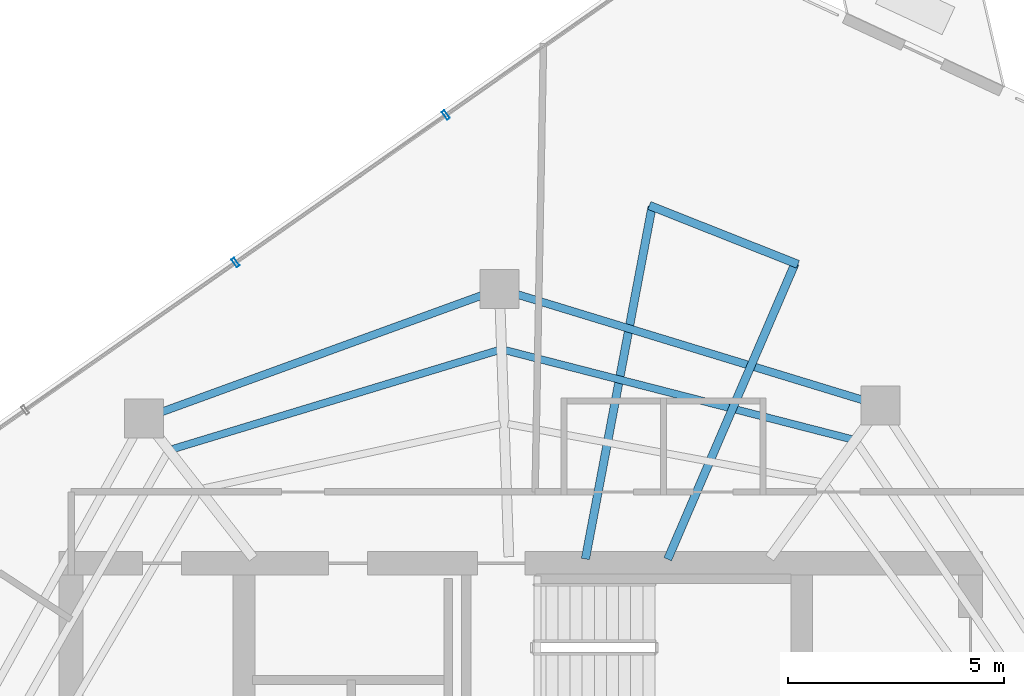
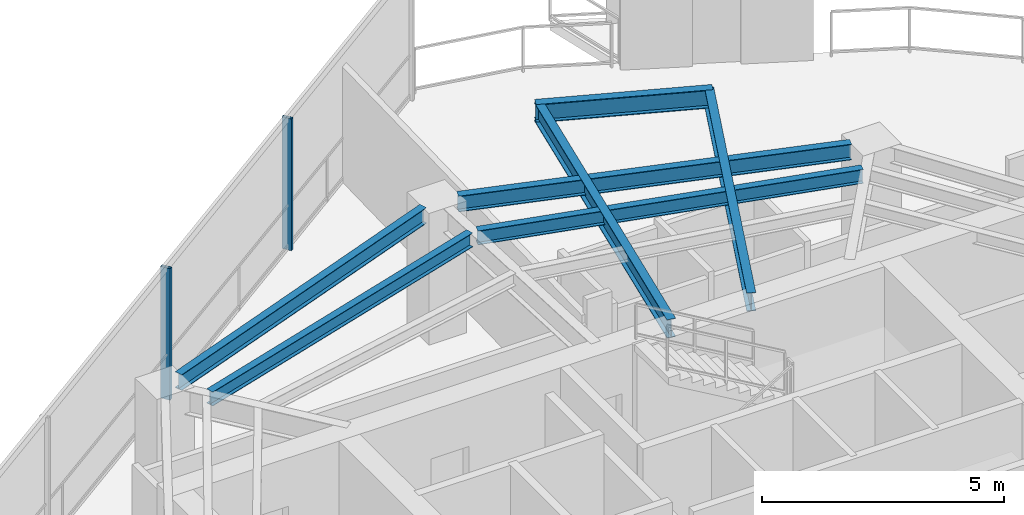
# One storey, part 14 of 20: 7 beams, 2 members, 1 element without a shape of its own.
"""IFC4 building model written with IfcOpenShell, lengths in metres."""

from ifc_helpers import new_model, si_unit, direction, frame, origin, origin_2d, place, context, subcontext, project, spatial, hollow_rectangle, i_section, extrude, material, layer, layer_set, material_profile, profile_set, type_object, element, aggregate, save


model = new_model("IFC4")

# Units and contexts
model_context = context("Model", 3, precision=1e-05, world=origin(), true_north=direction((0.0, 1.0)))
body_context = subcontext(model_context, "Body", "Model", "MODEL_VIEW")
ifc_project = project(units=[si_unit("LENGTHUNIT", "METRE"), si_unit("AREAUNIT", "SQUARE_METRE"), si_unit("VOLUMEUNIT", "CUBIC_METRE"), si_unit("PLANEANGLEUNIT", "RADIAN"), si_unit("MASSUNIT", "GRAM", prefix="KILO")], contexts=[model_context])

# Site, building, storey
site_placement = place(None, origin())
site = spatial("IfcSite", under=ifc_project, at=site_placement, CompositionType="ELEMENT")
building_placement = place(site_placement, origin())
building = spatial("IfcBuilding", under=site, at=building_placement, Name="Qarnah Convention Tower", CompositionType="ELEMENT")
storey_placement = place(building_placement, frame((0.0, 0.0, 198.60009765625)))
storey = spatial("IfcBuildingStorey", under=building, at=storey_placement, Name="L53", CompositionType="ELEMENT", Elevation=198.60009765625)

# Beams
ifc_material_1 = material(Name="Structural steel S355JR", Category="steel")
ifc_material_profile_1 = material_profile(ifc_material_1, i_section(OverallWidth=0.19189453125, OverallDepth=0.464111328125, WebThickness=0.010986328125, FlangeThickness=0.01806640625, at=origin_2d()), Name="W460X89")
ifc_profile_set_1 = profile_set([ifc_material_profile_1], Name="Structural steel S355JR")
beam_type_1 = type_object("IfcBeamType", Name="BM-CANT-W460A", PredefinedType="BEAM", material=ifc_profile_set_1)
beam_1_placement = place(storey_placement, frame((40.596923828125, 34.2919921875, 3.087890625), z_axis=(0.395334358974, 0.91853728537, 0.0), x_axis=(-0.91853728537, 0.395334358974, 0.0)))
element("IfcBeam", 1, at=beam_1_placement, inside=storey, type_object=beam_type_1, Name="L53 beam BM-L53-CNT-01-1", PredefinedType="BEAM", context=body_context, shape_type="SweptSolid", body=[
    extrude(i_section(OverallWidth=0.19189453125, OverallDepth=0.464111328125, WebThickness=0.010986328125, FlangeThickness=0.01806640625, at=origin_2d()), origin(), (0.0, 0.0, 1.0), 7.4521484375),
])
beam_2_placement = place(storey_placement, frame((38.694091796875, 34.298095703125, 3.087890625), z_axis=(0.185927001241, 0.982563560392, 0.0), x_axis=(-0.982563560392, 0.185927001241, 0.0)))
element("IfcBeam", 2, at=beam_2_placement, inside=storey, type_object=beam_type_1, Name="L53 beam BM-L53-CNT-01-2", PredefinedType="BEAM", context=body_context, shape_type="SweptSolid", body=[
    extrude(i_section(OverallWidth=0.19189453125, OverallDepth=0.464111328125, WebThickness=0.010986328125, FlangeThickness=0.01806640625, at=origin_2d()), origin(), (0.0, 0.0, 1.0), 8.29345703125),
])
beam_3_placement = place(storey_placement, frame((43.60791015625, 41.111083984375, 3.087890625), z_axis=(-0.929683207284, 0.368360060394, 0.0), x_axis=(-0.368360060394, -0.929683207284, 0.0)))
element("IfcBeam", 3, at=beam_3_placement, inside=storey, type_object=beam_type_1, Name="L53 spandrel BM-L53-CTIE-01", PredefinedType="SPANDREL", context=body_context, shape_type="SweptSolid", body=[
    extrude(i_section(OverallWidth=0.19189453125, OverallDepth=0.464111328125, WebThickness=0.010986328125, FlangeThickness=0.01806640625, at=origin_2d()), origin(), (0.0, 0.0, 1.0), 3.697021484375),
])
ifc_material_profile_2 = material_profile(ifc_material_1, i_section(OverallWidth=0.172119140625, OverallDepth=0.35595703125, WebThickness=0.007080078125, FlangeThickness=0.011962890625, at=origin_2d()), Name="W360X51")
ifc_profile_set_2 = profile_set([ifc_material_profile_2], Name="Structural steel S355JR")
beam_type_2 = type_object("IfcBeamType", Name="BM-JST-W360", PredefinedType="JOIST", material=ifc_profile_set_2)
beam_4_placement = place(storey_placement, frame((44.846923828125, 37.06689453125, 3.141845703125), z_axis=(-0.968529970229, 0.248896960142, 0.0), x_axis=(-0.248896960142, -0.968529970229, 0.0)))
element("IfcBeam", 4, at=beam_4_placement, inside=storey, type_object=beam_type_2, Name="L53 joist BM-L53-SJST-02", PredefinedType="JOIST", context=body_context, shape_type="SweptSolid", body=[
    extrude(i_section(OverallWidth=0.172119140625, OverallDepth=0.35595703125, WebThickness=0.007080078125, FlangeThickness=0.011962890625, at=origin_2d()), origin(), (0.0, 0.0, 1.0), 8.264892578125),
])
beam_5_placement = place(storey_placement, frame((36.6689453125, 39.1201171875, 3.141845703125), z_axis=(-0.956935771125, -0.290299724321, 0.0), x_axis=(0.290299724321, -0.956935771125, 0.0)))
element("IfcBeam", 5, at=beam_5_placement, inside=storey, type_object=beam_type_2, Name="L53 joist BM-L53-SJST-03", PredefinedType="JOIST", context=body_context, shape_type="SweptSolid", body=[
    extrude(i_section(OverallWidth=0.172119140625, OverallDepth=0.35595703125, WebThickness=0.007080078125, FlangeThickness=0.011962890625, at=origin_2d()), origin(), (0.0, 0.0, 1.0), 7.857421875),
])
ifc_material_profile_3 = material_profile(ifc_material_1, i_section(OverallWidth=0.179931640625, OverallDepth=0.39990234375, WebThickness=0.009033203125, FlangeThickness=0.013916015625, at=origin_2d()), Name="IPE400")
ifc_profile_set_3 = profile_set([ifc_material_profile_3], Name="Structural steel S355JR")
beam_type_3 = type_object("IfcBeamType", Name="BM-SPN-IPE400", PredefinedType="SPANDREL", material=ifc_profile_set_3)
beam_6_placement = place(storey_placement, frame((45.095947265625, 37.97705078125, 3.119873046875), z_axis=(-0.956348614223, 0.292228212318, 0.0), x_axis=(-0.292228212318, -0.956348614223, 0.0)))
element("IfcBeam", 6, at=beam_6_placement, inside=storey, type_object=beam_type_3, Name="L53 spandrel BM-L53-SPN-02", PredefinedType="SPANDREL", context=body_context, shape_type="SweptSolid", body=[
    extrude(i_section(OverallWidth=0.179931640625, OverallDepth=0.39990234375, WebThickness=0.009033203125, FlangeThickness=0.013916015625, at=origin_2d()), origin(), (0.0, 0.0, 1.0), 8.332763671875),
])
beam_7_placement = place(storey_placement, frame((36.29296875, 40.39111328125, 3.119873046875), z_axis=(-0.939665594936, -0.342094387112, 0.0), x_axis=(0.342094387112, -0.939665594936, 0.0)))
element("IfcBeam", 7, at=beam_7_placement, inside=storey, type_object=beam_type_3, Name="L53 spandrel BM-L53-SPN-03", PredefinedType="SPANDREL", context=body_context, shape_type="SweptSolid", body=[
    extrude(i_section(OverallWidth=0.179931640625, OverallDepth=0.39990234375, WebThickness=0.009033203125, FlangeThickness=0.013916015625, at=origin_2d()), origin(), (0.0, 0.0, 1.0), 7.86669921875),
])

# Curtain wall, members
ifc_material_2 = material(Name="Tempered Low-E dark glass", Category="glass")
ifc_layer = layer(ifc_material_2, 0.174072265625)
ifc_layer_set = layer_set([ifc_layer], Name="Tempered Low-E dark glass")
curtain_wall_type = type_object("IfcCurtainWallType", Name="CWS-04", PredefinedType="NOTDEFINED", material=ifc_layer_set)
curtain_wall_placement = place(storey_placement, origin())
curtain_wall = element("IfcCurtainWall", 8, at=curtain_wall_placement, inside=storey, type_object=curtain_wall_type, Name="L53 unitised curtain wall CW-L53-F1", PredefinedType="NOTDEFINED")
ifc_material_3 = material(Name="Black anodised aluminium", Category="aluminium")
ifc_material_profile_4 = material_profile(ifc_material_3, hollow_rectangle(XDim=0.074951171875, YDim=0.219970703125, WallThickness=0.0048828125, at=origin_2d()), Name="MUL-75X220")
ifc_profile_set_4 = profile_set([ifc_material_profile_4], Name="Black anodised aluminium")
member_type = type_object("IfcMemberType", Name="MUL-T4", PredefinedType="MULLION", material=ifc_profile_set_4)
member_1_placement = place(storey_placement, frame((30.6025390625, 41.153564453125, 0.0), z_axis=(0.0, 0.0, 1.0), x_axis=(0.818736601827, 0.57416929283, 0.0)))
member_1 = element("IfcMember", 9, at=member_1_placement, type_object=member_type, Name="CW-L53-F1 mullion 4", PredefinedType="MULLION", context=body_context, shape_type="SweptSolid", body=[
    extrude(hollow_rectangle(XDim=0.074951171875, YDim=0.219970703125, WallThickness=0.0048828125, at=origin_2d()), origin(), (0.0, 0.0, 1.0), 3.31982421875),
])
member_2_placement = place(storey_placement, frame((35.466796875, 44.564697265625, 0.0), z_axis=(0.0, 0.0, 1.0), x_axis=(0.818736601827, 0.57416929283, 0.0)))
member_2 = element("IfcMember", 10, at=member_2_placement, type_object=member_type, Name="CW-L53-F1 mullion 5", PredefinedType="MULLION", context=body_context, shape_type="SweptSolid", body=[
    extrude(hollow_rectangle(XDim=0.074951171875, YDim=0.219970703125, WallThickness=0.0048828125, at=origin_2d()), origin(), (0.0, 0.0, 1.0), 3.31982421875),
])
aggregate(curtain_wall, [member_1, member_2])

save(model, "model.ifc")
